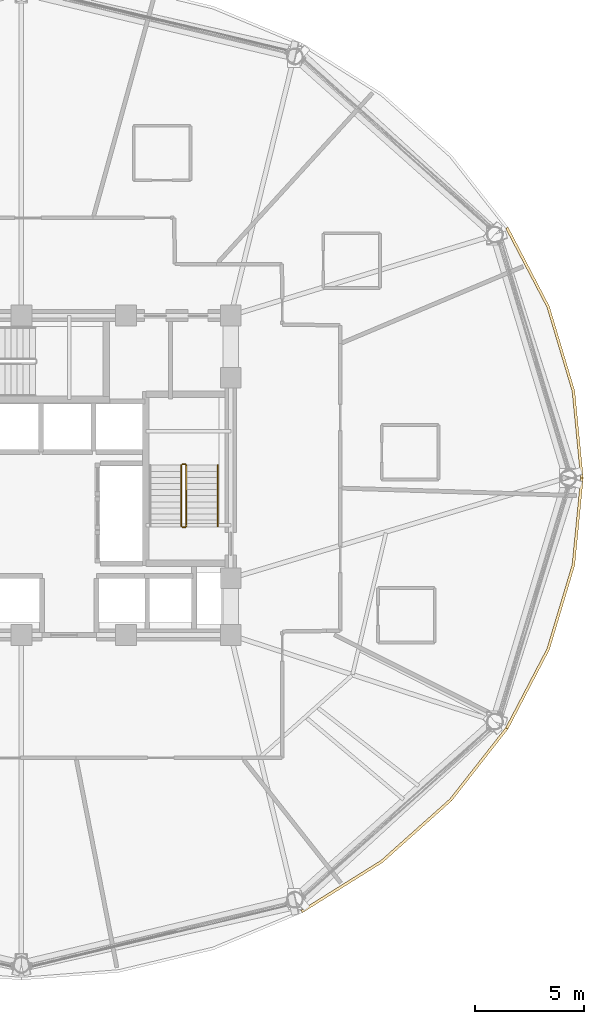
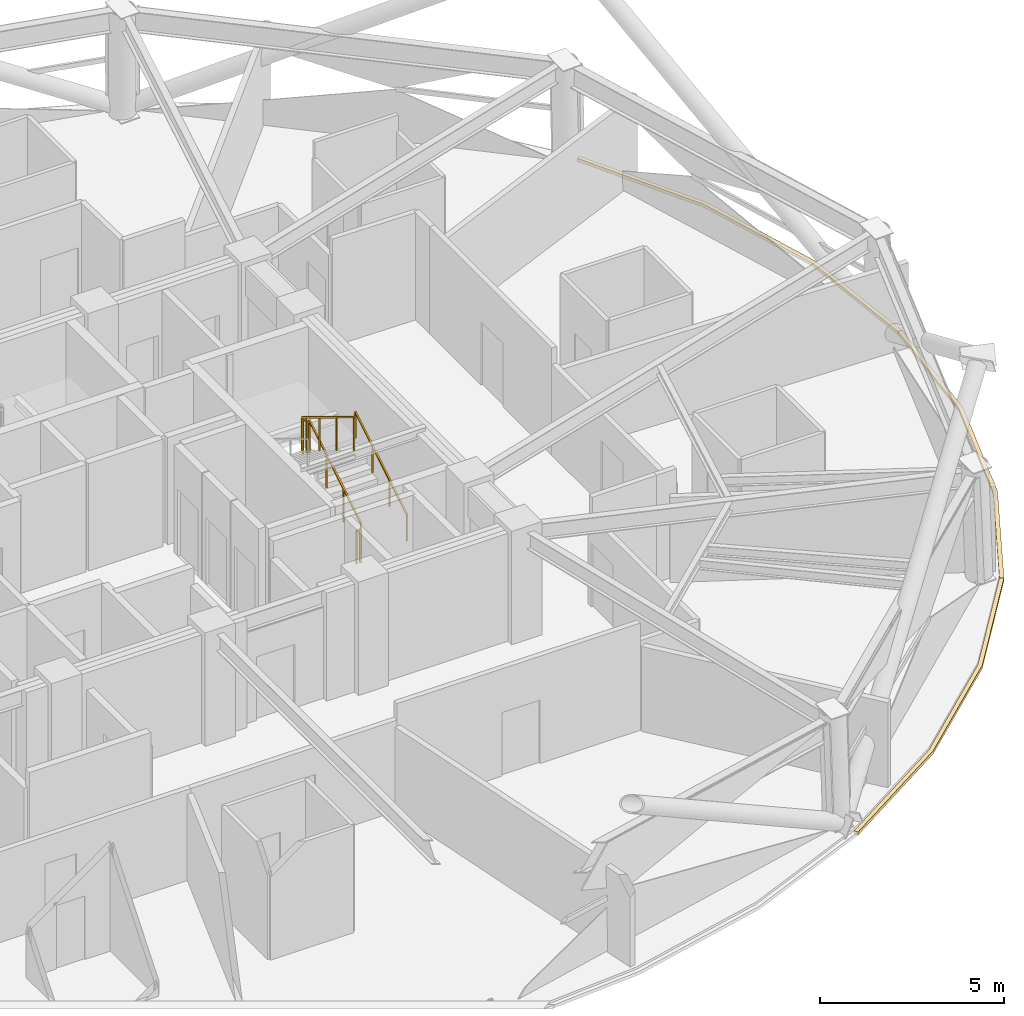
# One storey, part 14 of 15: 5 railings, 3 coverings.
"""IFC4 building model written with IfcOpenShell, lengths in metres."""

from ifc_helpers import new_model, si_unit, direction, frame, origin, origin_2d, place, context, subcontext, project, spatial, polyline, rectangle, outline, extrude, material, layer, layer_set, type_object, element, save


model = new_model("IFC4")

# Units and contexts
model_context = context("Model", 3, precision=1e-05, world=origin(), true_north=direction((0.0, 1.0)))
body_context = subcontext(model_context, "Body", "Model", "MODEL_VIEW")
ifc_project = project(units=[si_unit("LENGTHUNIT", "METRE"), si_unit("AREAUNIT", "SQUARE_METRE"), si_unit("VOLUMEUNIT", "CUBIC_METRE"), si_unit("PLANEANGLEUNIT", "RADIAN"), si_unit("MASSUNIT", "GRAM", prefix="KILO")], contexts=[model_context])

# Site, building, storey
site_placement = place(None, origin())
site = spatial("IfcSite", under=ifc_project, at=site_placement, CompositionType="ELEMENT")
building_placement = place(site_placement, origin())
building = spatial("IfcBuilding", under=site, at=building_placement, Name="Vantalir Tower", CompositionType="ELEMENT")
storey_placement = place(building_placement, frame((0.0, 0.0, 134.699951171875)))
storey = spatial("IfcBuildingStorey", under=building, at=storey_placement, Name="L33", CompositionType="ELEMENT", Elevation=134.699951171875)

# Coverings
ifc_material_1 = material(Name="Anodised champagne aluminium sill fascia", Category="aluminium")
ifc_layer = layer(ifc_material_1, 0.125)
ifc_layer_set = layer_set([ifc_layer], Name="Anodised champagne aluminium sill fascia")
covering_type = type_object("IfcCoveringType", Name="COV-SLAB-FASCIA-125", PredefinedType="CLADDING", material=ifc_layer_set)
covering_1_placement = place(storey_placement, frame((0.0, 0.0, -0.179931640625)))
element("IfcCovering", 1, at=covering_1_placement, inside=storey, type_object=covering_type, Name="L33 Perimeter Slab-Edge Sill Fascia 01", PredefinedType="CLADDING", context=body_context, shape_type="SweptSolid", body=[
    extrude(outline(polyline([(57.26806640625, 25.0), (56.876953125, 28.9970703125), (55.714111328125, 32.873046875), (53.81591796875, 36.510009765625), (53.70703125, 36.447021484375), (55.596923828125, 32.8310546875), (56.7529296875, 28.97607421875), (57.14306640625, 25.0), (57.26806640625, 25.0)])), origin(), (0.0, 0.0, 1.0), 0.10498046875),
])
covering_2_placement = place(storey_placement, frame((0.0, 0.0, -0.179931640625)))
element("IfcCovering", 2, at=covering_2_placement, inside=storey, type_object=covering_type, Name="L33 Perimeter Slab-Edge Sill Fascia 11", PredefinedType="CLADDING", context=body_context, shape_type="SweptSolid", body=[
    extrude(outline(polyline([(44.384033203125, 5.06396484375), (48.06298828125, 7.365966796875), (51.239013671875, 10.202880859375), (53.81591796875, 13.489990234375), (53.70703125, 13.552001953125), (51.14404296875, 10.282958984375), (47.98291015625, 7.4609375), (44.322021484375, 5.172119140625), (44.384033203125, 5.06396484375)])), origin(), (0.0, 0.0, 1.0), 0.10498046875),
])
covering_3_placement = place(storey_placement, frame((0.0, 0.0, -0.179931640625)))
element("IfcCovering", 3, at=covering_3_placement, inside=storey, type_object=covering_type, Name="L33 Perimeter Slab-Edge Sill Fascia 12", PredefinedType="CLADDING", context=body_context, shape_type="SweptSolid", body=[
    extrude(outline(polyline([(53.81591796875, 13.489990234375), (55.714111328125, 17.126953125), (56.876953125, 21.0029296875), (57.26806640625, 25.0), (57.14306640625, 25.0), (56.7529296875, 21.02392578125), (55.596923828125, 17.1689453125), (53.70703125, 13.552001953125), (53.81591796875, 13.489990234375)])), origin(), (0.0, 0.0, 1.0), 0.10498046875),
])

# Railings
ifc_material_2 = material(Name="Anodised aluminium and stainless steel guard", Category="steel")
railing_type_1 = type_object("IfcRailingType", Name="RAL-GUARD-1120", PredefinedType="GUARDRAIL", material=ifc_material_2)
railing_1_placement = place(storey_placement, frame((39.06005859375, 22.7900390625, 0.17041015625)))
element("IfcRailing", 4, at=railing_1_placement, inside=storey, type_object=railing_type_1, Name="L33 ST2 stair guard 1", PredefinedType="GUARDRAIL", context=body_context, shape_type="SweptSolid", body=[
    extrude(rectangle(XDim=0.048095703125, YDim=0.048095703125, at=origin_2d()), frame((0.0, 0.0, 1.09619140625), z_axis=(0.0, 0.854169791009, 0.51999420009), x_axis=(-1.0, 0.0, 0.0)), (0.0, 0.0, 1.0), 3.278076171875),
    extrude(rectangle(XDim=0.0419921875, YDim=0.0419921875, at=origin_2d()), origin(), (0.0, 0.0, 1.0), 1.072021484375),
    extrude(rectangle(XDim=0.0419921875, YDim=0.0419921875, at=origin_2d()), frame((0.0, 0.933349609375, 0.568115234375)), (0.0, 0.0, 1.0), 1.072021484375),
    extrude(rectangle(XDim=0.0419921875, YDim=0.0419921875, at=origin_2d()), frame((0.0, 1.86669921875, 1.136474609375)), (0.0, 0.0, 1.0), 1.072021484375),
    extrude(rectangle(XDim=0.0419921875, YDim=0.0419921875, at=origin_2d()), frame((0.0, 2.800048828125, 1.70458984375)), (0.0, 0.0, 1.0), 1.072021484375),
])
railing_2_placement = place(storey_placement, frame((39.010009765625, 25.639892578125, 1.875)))
element("IfcRailing", 5, at=railing_2_placement, inside=storey, type_object=railing_type_1, Name="L33 ST2 stair guard 2", PredefinedType="GUARDRAIL", context=body_context, shape_type="SweptSolid", body=[
    extrude(rectangle(XDim=0.048095703125, YDim=0.048095703125, at=origin_2d()), frame((0.0, 0.0, 1.09619140625), z_axis=(-1.0, 0.0, 0.0), x_axis=(0.0, -1.0, 0.0)), (0.0, 0.0, 1.0), 0.1201171875),
    extrude(rectangle(XDim=0.0419921875, YDim=0.0419921875, at=origin_2d()), origin(), (0.0, 0.0, 1.0), 1.072021484375),
    extrude(rectangle(XDim=0.0419921875, YDim=0.0419921875, at=origin_2d()), frame((-0.1201171875, 0.0, 0.0)), (0.0, 0.0, 1.0), 1.072021484375),
])
railing_3_placement = place(storey_placement, frame((38.840087890625, 25.590087890625, 2.04541015625)))
element("IfcRailing", 6, at=railing_3_placement, inside=storey, type_object=railing_type_1, Name="L33 ST2 stair guard 3", PredefinedType="GUARDRAIL", context=body_context, shape_type="SweptSolid", body=[
    extrude(rectangle(XDim=0.048095703125, YDim=0.048095703125, at=origin_2d()), frame((0.0, 0.0, 1.09619140625), z_axis=(0.0, -0.854169791009, 0.51999420009), x_axis=(1.0, 0.0, 0.0)), (0.0, 0.0, 1.0), 3.278076171875),
    extrude(rectangle(XDim=0.0419921875, YDim=0.0419921875, at=origin_2d()), origin(), (0.0, 0.0, 1.0), 1.072021484375),
    extrude(rectangle(XDim=0.0419921875, YDim=0.0419921875, at=origin_2d()), frame((0.0, -0.933349609375, 0.568115234375)), (0.0, 0.0, 1.0), 1.072021484375),
    extrude(rectangle(XDim=0.0419921875, YDim=0.0419921875, at=origin_2d()), frame((0.0, -1.86669921875, 1.136474609375)), (0.0, 0.0, 1.0), 1.072021484375),
    extrude(rectangle(XDim=0.0419921875, YDim=0.0419921875, at=origin_2d()), frame((0.0, -2.800048828125, 1.70458984375)), (0.0, 0.0, 1.0), 1.072021484375),
])
railing_4_placement = place(storey_placement, frame((39.010009765625, 22.739990234375, 0.0)))
element("IfcRailing", 7, at=railing_4_placement, inside=storey, type_object=railing_type_1, Name="L33 ST2 stair guard 4", PredefinedType="GUARDRAIL", context=body_context, shape_type="SweptSolid", body=[
    extrude(rectangle(XDim=0.048095703125, YDim=0.048095703125, at=origin_2d()), frame((0.0, 0.0, 1.09619140625), z_axis=(-1.0, 0.0, 0.0), x_axis=(0.0, -1.0, 0.0)), (0.0, 0.0, 1.0), 0.1201171875),
    extrude(rectangle(XDim=0.0419921875, YDim=0.0419921875, at=origin_2d()), origin(), (0.0, 0.0, 1.0), 1.072021484375),
    extrude(rectangle(XDim=0.0419921875, YDim=0.0419921875, at=origin_2d()), frame((-0.1201171875, 0.0, 0.0)), (0.0, 0.0, 1.0), 1.072021484375),
])
ifc_material_3 = material(Name="Brushed stainless steel tubular handrail", Category="steel")
railing_type_2 = type_object("IfcRailingType", Name="RAL-HANDRAIL-900", PredefinedType="HANDRAIL", material=ifc_material_3)
railing_5_placement = place(storey_placement, frame((40.5, 22.7900390625, 0.17041015625)))
element("IfcRailing", 8, at=railing_5_placement, inside=storey, type_object=railing_type_2, Name="L33 ST2 stair handrail 1", PredefinedType="HANDRAIL", context=body_context, shape_type="SweptSolid", body=[
    extrude(rectangle(XDim=0.048095703125, YDim=0.048095703125, at=origin_2d()), frame((0.0, 0.0, 0.8759765625), z_axis=(0.0, 0.854169791009, 0.51999420009), x_axis=(-1.0, 0.0, 0.0)), (0.0, 0.0, 1.0), 3.278076171875),
    extrude(rectangle(XDim=0.0419921875, YDim=0.0419921875, at=origin_2d()), origin(), (0.0, 0.0, 1.0), 0.851806640625),
    extrude(rectangle(XDim=0.0419921875, YDim=0.0419921875, at=origin_2d()), frame((0.0, 0.933349609375, 0.568115234375)), (0.0, 0.0, 1.0), 0.851806640625),
    extrude(rectangle(XDim=0.0419921875, YDim=0.0419921875, at=origin_2d()), frame((0.0, 1.86669921875, 1.136474609375)), (0.0, 0.0, 1.0), 0.851806640625),
    extrude(rectangle(XDim=0.0419921875, YDim=0.0419921875, at=origin_2d()), frame((0.0, 2.800048828125, 1.70458984375)), (0.0, 0.0, 1.0), 0.851806640625),
])

save(model, "model.ifc")
